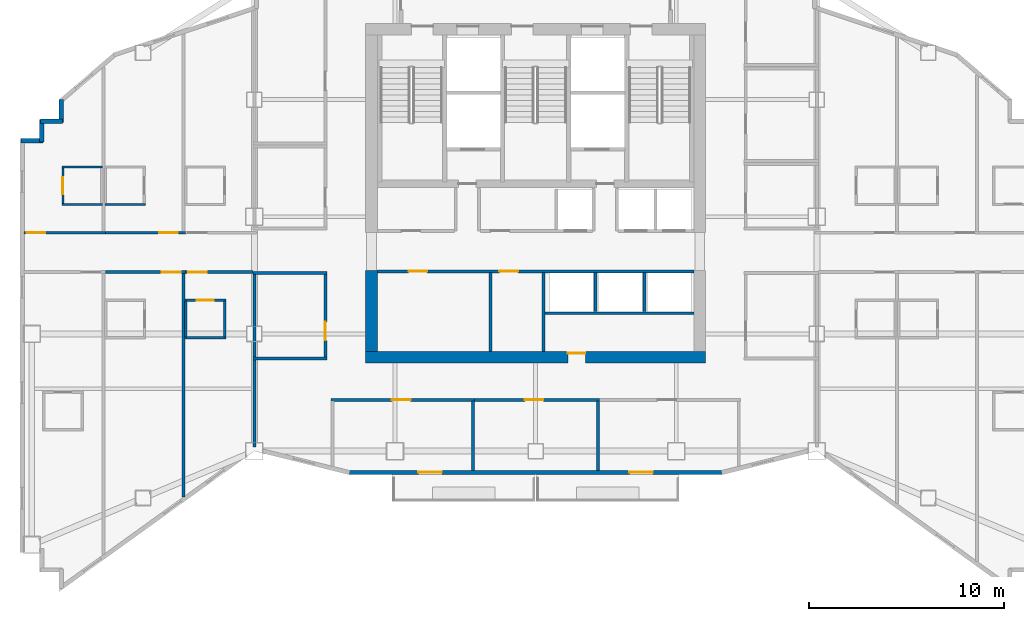
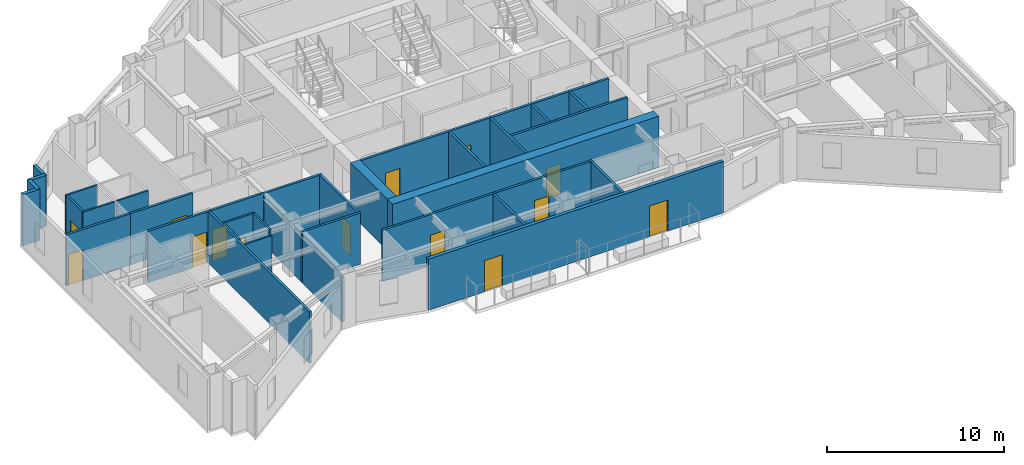
# One storey, part 5 of 11: 35 walls, 14 doors, 14 openings.
"""IFC4 building model written with IfcOpenShell, lengths in metres."""

from ifc_helpers import new_model, si_unit, direction, frame, frame_2d, origin, place, context, subcontext, project, spatial, rectangle, extrude, material, layer, layer_set, type_object, element, fill, save


model = new_model("IFC4")

# Units and contexts
model_context = context("Model", 3, precision=1e-05, world=origin(), true_north=direction((0.0, 1.0)))
body_context = subcontext(model_context, "Body", "Model", "MODEL_VIEW")
ifc_project = project(units=[si_unit("LENGTHUNIT", "METRE"), si_unit("AREAUNIT", "SQUARE_METRE"), si_unit("VOLUMEUNIT", "CUBIC_METRE"), si_unit("PLANEANGLEUNIT", "RADIAN"), si_unit("MASSUNIT", "GRAM", prefix="KILO")], contexts=[model_context])

# Site, building, storey
site_placement = place(None, origin())
site = spatial("IfcSite", under=ifc_project, at=site_placement, CompositionType="ELEMENT")
building_placement = place(site_placement, origin())
building = spatial("IfcBuilding", under=site, at=building_placement, Name="Haolan Belvedere Tower", CompositionType="ELEMENT")
storey_placement = place(building_placement, frame((0.0, 0.0, 226.800048828125)))
storey = spatial("IfcBuildingStorey", under=building, at=storey_placement, Name="L57", CompositionType="ELEMENT", Elevation=226.800048828125)

# Wall, opening, door
ifc_material_1 = material(Name="Concrete C60/75", Category="concrete")
ifc_layer_1 = layer(ifc_material_1, 0.60009765625, Name="Concrete C60/75")
ifc_layer_set_1 = layer_set([ifc_layer_1], Name="Concrete C60/75")
wall_type_1 = type_object("IfcWallType", Name="WL-CORE-600", PredefinedType="SHEAR", material=ifc_layer_set_1)
wall_1_placement = place(storey_placement, frame((29.699951171875, 26.39990234375, 0.0), z_axis=(0.0, 0.0, 1.0), x_axis=(1.0, 0.0, 0.0)))
wall_1 = element("IfcWall", 1, at=wall_1_placement, inside=storey, type_object=wall_type_1, Name="L57 central core south shear wall", PredefinedType="SHEAR", context=body_context, shape_type="SweptSolid", body=[
    extrude(rectangle(XDim=17.400146484375, YDim=0.60009765625, at=frame_2d((8.7001953125, 0.0))), origin(), (0.0, 0.0, 1.0), 3.5400390625),
])
opening_1_placement = place(wall_1_placement, frame((11.25, 0.0, 0.0), z_axis=(0.0, 0.0, 1.0), x_axis=(-1.0, 0.0, 0.0)))
opening_1 = element("IfcOpeningElement", 2, at=opening_1_placement, cuts=wall_1, Name="Opening FD-05", PredefinedType="OPENING", context=body_context, shape_type="SweptSolid", body=[
    extrude(rectangle(XDim=0.89990234375, YDim=2.10009765625, at=frame_2d((0.449951171875, 1.050048828125))), frame((0.0, 0.31005859375, 0.0), z_axis=(0.0, -1.0, 0.0), x_axis=(1.0, 0.0, 0.0)), (0.0, 0.0, 1.0), 0.6201171875),
])
ifc_material_2 = material(Name="Galvanised fire-rated steel", Category="steel")
door_type_1 = type_object("IfcDoorType", Name="DR-FD60-900", OperationType="NOTDEFINED", PredefinedType="DOOR", material=ifc_material_2)
door_1_placement = place(opening_1_placement, origin())
door_1 = element("IfcDoor", 3, at=door_1_placement, inside=storey, type_object=door_type_1, Name="L57 door CD-L57-SCVE", OperationType="SINGLE_SWING_RIGHT", OverallHeight=2.10009765625, OverallWidth=0.89990234375, PredefinedType="DOOR", context=body_context, shape_type="SweptSolid", body=[
    extrude(rectangle(XDim=0.89990234375, YDim=2.10009765625, at=frame_2d((0.449951171875, 1.050048828125))), frame((0.0, -0.19482421875, 0.0), z_axis=(0.0, -1.0, 0.0), x_axis=(1.0, 0.0, 0.0)), (0.0, 0.0, 1.0), 0.050048828125),
])
fill(opening_1, door_1)

# Wall
wall_2_placement = place(storey_placement, frame((30.0, 26.699951171875, 0.0), z_axis=(0.0, 0.0, 1.0), x_axis=(0.0, 1.0, 0.0)))
element("IfcWall", 4, at=wall_2_placement, inside=storey, type_object=wall_type_1, Name="L57 central core shear wall WS", PredefinedType="SHEAR", context=body_context, shape_type="SweptSolid", body=[
    extrude(rectangle(XDim=4.150146484375, YDim=0.60009765625, at=frame_2d((2.0751953125, 0.0))), origin(), (0.0, 0.0, 1.0), 3.5400390625),
])

# Wall, openings, doors
ifc_material_3 = material(Name="Precast concrete C40/50", Category="concrete")
ifc_layer_2 = layer(ifc_material_3, 0.219970703125, Name="Precast concrete C40/50")
ifc_layer_set_2 = layer_set([ifc_layer_2], Name="Precast concrete C40/50")
wall_type_2 = type_object("IfcWallType", Name="WL-EXT-220", PredefinedType="SOLIDWALL", material=ifc_layer_set_2)
wall_3_placement = place(storey_placement, frame((28.758544921875, 20.510009765625, 0.0), z_axis=(0.0, 0.0, 1.0), x_axis=(1.0, 0.0, 0.0)))
wall_3 = element("IfcWall", 5, at=wall_3_placement, inside=storey, type_object=wall_type_2, Name="L57 pale-metal exterior spandrel wall 1.1", PredefinedType="SOLIDWALL", context=body_context, shape_type="SweptSolid", body=[
    extrude(rectangle(XDim=19.282958984375, YDim=0.219970703125, at=frame_2d((9.6416015625, 0.0))), origin(), (0.0, 0.0, 1.0), 3.5400390625),
])
opening_2_placement = place(wall_3_placement, frame((4.841552734375, 0.0, 0.0), z_axis=(0.0, 0.0, 1.0), x_axis=(-1.0, 0.0, 0.0)))
opening_2 = element("IfcOpeningElement", 6, at=opening_2_placement, cuts=wall_3, Name="Opening BD-01", PredefinedType="OPENING", context=body_context, shape_type="SweptSolid", body=[
    extrude(rectangle(XDim=1.199951171875, YDim=2.14990234375, at=frame_2d((0.60009765625, 1.074951171875))), frame((0.0, 0.119873046875, 0.0), z_axis=(0.0, -1.0, 0.0), x_axis=(1.0, 0.0, 0.0)), (0.0, 0.0, 1.0), 0.239990234375),
])
opening_3_placement = place(wall_3_placement, frame((15.641357421875, 0.0, 0.0), z_axis=(0.0, 0.0, 1.0), x_axis=(-1.0, 0.0, 0.0)))
opening_3 = element("IfcOpeningElement", 7, at=opening_3_placement, cuts=wall_3, Name="Opening BD-01", PredefinedType="OPENING", context=body_context, shape_type="SweptSolid", body=[
    extrude(rectangle(XDim=1.199951171875, YDim=2.14990234375, at=frame_2d((0.60009765625, 1.074951171875))), frame((0.0, 0.119873046875, 0.0), z_axis=(0.0, -1.0, 0.0), x_axis=(1.0, 0.0, 0.0)), (0.0, 0.0, 1.0), 0.239990234375),
])
ifc_material_4 = material(Name="Thermally broken pale-metal aluminium and Low-E glass", Category="aluminium")
door_type_2 = type_object("IfcDoorType", Name="DR-BAL-1200", OperationType="NOTDEFINED", PredefinedType="DOOR", material=ifc_material_4)
door_2_placement = place(opening_2_placement, origin())
door_2 = element("IfcDoor", 8, at=door_2_placement, inside=storey, type_object=door_type_2, Name="L57 tree-balcony access door 1", OperationType="SINGLE_SWING_LEFT", OverallHeight=2.14990234375, OverallWidth=1.199951171875, PredefinedType="DOOR", context=body_context, shape_type="SweptSolid", body=[
    extrude(rectangle(XDim=1.199951171875, YDim=2.14990234375, at=frame_2d((0.60009765625, 1.074951171875))), frame((0.0, 0.02490234375, 0.0), z_axis=(0.0, -1.0, 0.0), x_axis=(1.0, 0.0, 0.0)), (0.0, 0.0, 1.0), 0.050048828125),
])
fill(opening_2, door_2)
door_3_placement = place(opening_3_placement, origin())
door_3 = element("IfcDoor", 9, at=door_3_placement, inside=storey, type_object=door_type_2, Name="L57 tree-balcony access door 2", OperationType="SINGLE_SWING_RIGHT", OverallHeight=2.14990234375, OverallWidth=1.199951171875, PredefinedType="DOOR", context=body_context, shape_type="SweptSolid", body=[
    extrude(rectangle(XDim=1.199951171875, YDim=2.14990234375, at=frame_2d((0.60009765625, 1.074951171875))), frame((0.0, 0.02490234375, 0.0), z_axis=(0.0, -1.0, 0.0), x_axis=(1.0, 0.0, 0.0)), (0.0, 0.0, 1.0), 0.050048828125),
])
fill(opening_3, door_3)

# Walls
wall_4_placement = place(storey_placement, frame((14.110107421875, 39.6044921875, 0.0), z_axis=(0.0, 0.0, 1.0), x_axis=(0.0, -1.0, 0.0)))
element("IfcWall", 10, at=wall_4_placement, inside=storey, type_object=wall_type_2, Name="L57 pale-metal exterior spandrel wall 31.1", PredefinedType="SOLIDWALL", context=body_context, shape_type="SweptSolid", body=[
    extrude(rectangle(XDim=1.16943359375, YDim=0.219970703125, at=frame_2d((0.584716796875, 0.0))), origin(), (0.0, 0.0, 1.0), 3.5400390625),
])
wall_5_placement = place(storey_placement, frame((14.1650390625, 38.489990234375, 0.0), z_axis=(0.0, 0.0, 1.0), x_axis=(-1.0, 0.0, 0.0)))
element("IfcWall", 11, at=wall_5_placement, inside=storey, type_object=wall_type_2, Name="L57 pale-metal exterior spandrel wall 32.1", PredefinedType="SOLIDWALL", context=body_context, shape_type="SweptSolid", body=[
    extrude(rectangle(XDim=1.110107421875, YDim=0.219970703125, at=frame_2d((0.55517578125, 0.0))), origin(), (0.0, 0.0, 1.0), 3.5400390625),
])
wall_6_placement = place(storey_placement, frame((13.110107421875, 38.544921875, 0.0), z_axis=(0.0, 0.0, 1.0), x_axis=(0.0, -1.0, 0.0)))
element("IfcWall", 12, at=wall_6_placement, inside=storey, type_object=wall_type_2, Name="L57 pale-metal exterior spandrel wall 33.1", PredefinedType="SOLIDWALL", context=body_context, shape_type="SweptSolid", body=[
    extrude(rectangle(XDim=1.10986328125, YDim=0.219970703125, at=frame_2d((0.554931640625, 0.0))), origin(), (0.0, 0.0, 1.0), 3.5400390625),
])
wall_7_placement = place(storey_placement, frame((13.1650390625, 37.489990234375, 0.0), z_axis=(0.0, 0.0, 1.0), x_axis=(-1.0, 0.0, 0.0)))
element("IfcWall", 13, at=wall_7_placement, inside=storey, type_object=wall_type_2, Name="L57 pale-metal exterior spandrel wall 34.1", PredefinedType="SOLIDWALL", context=body_context, shape_type="SweptSolid", body=[
    extrude(rectangle(XDim=1.110107421875, YDim=0.219970703125, at=frame_2d((0.55517578125, 0.0))), origin(), (0.0, 0.0, 1.0), 3.5400390625),
])
ifc_material_5 = material(Name="Double gypsum acoustic stud partition", Category="masonry")
ifc_layer_3 = layer(ifc_material_5, 0.14990234375, Name="Double gypsum acoustic stud partition")
ifc_layer_set_3 = layer_set([ifc_layer_3], Name="Double gypsum acoustic stud partition")
wall_type_3 = type_object("IfcWallType", Name="WL-PART-150", PredefinedType="PARTITIONING", material=ifc_layer_set_3)
wall_8_placement = place(storey_placement, frame((36.10009765625, 26.7099609375, 0.0), z_axis=(0.0, 0.0, 1.0), x_axis=(0.0, 1.0, 0.0)))
element("IfcWall", 14, at=wall_8_placement, inside=storey, type_object=wall_type_3, Name="L57 interior partition IW-L57-DIV-REUSE-PM", PredefinedType="PARTITIONING", context=body_context, shape_type="SweptSolid", body=[
    extrude(rectangle(XDim=4.025146484375, YDim=0.14990234375, at=frame_2d((2.0126953125, 0.0))), origin(), (0.0, 0.0, 1.0), 3.5400390625),
])
wall_9_placement = place(storey_placement, frame((38.860107421875, 28.659912109375, 0.0), z_axis=(0.0, 0.0, 1.0), x_axis=(1.0, 0.0, 0.0)))
element("IfcWall", 15, at=wall_9_placement, inside=storey, type_object=wall_type_3, Name="L57 interior partition IW-L57-SSTRIP-E", PredefinedType="PARTITIONING", context=body_context, shape_type="SweptSolid", body=[
    extrude(rectangle(XDim=7.639892578125, YDim=0.14990234375, at=frame_2d((3.81982421875, 0.0))), origin(), (0.0, 0.0, 1.0), 3.5400390625),
])
for number, where, z_axis, x_axis, name in (
    (16, (23.919921875, 30.72998046875, 0.0), (0.0, 0.0, 1.0), (1.0, 0.0, 0.0), "L57 interior partition IW-L57-PKTW-N"),
    (17, (23.919921875, 26.35009765625, 0.0), (0.0, 0.0, 1.0), (1.0, 0.0, 0.0), "L57 interior partition IW-L57-PKTW-S"),
):
    element("IfcWall", number, at=place(storey_placement, frame(where, z_axis=z_axis, x_axis=x_axis)), inside=storey, type_object=wall_type_3, Name=name, PredefinedType="PARTITIONING", context=body_context, shape_type="SweptSolid", body=[
        extrude(rectangle(XDim=3.800048828125, YDim=0.14990234375, at=frame_2d((1.89990234375, 0.0))), origin(), (0.0, 0.0, 1.0), 3.5400390625),
    ])
wall_10_placement = place(storey_placement, frame((24.0, 26.409912109375, 0.0), z_axis=(0.0, 0.0, 1.0), x_axis=(0.0, 1.0, 0.0)))
element("IfcWall", 18, at=wall_10_placement, inside=storey, type_object=wall_type_3, Name="L57 interior partition IW-L57-PKTW-W", PredefinedType="PARTITIONING", context=body_context, shape_type="SweptSolid", body=[
    extrude(rectangle(XDim=4.260009765625, YDim=0.14990234375, at=frame_2d((2.1298828125, 0.0))), origin(), (0.0, 0.0, 1.0), 3.135009765625),
])

# Wall, opening, door
wall_11_placement = place(storey_placement, frame((27.639892578125, 26.409912109375, 0.0), z_axis=(0.0, 0.0, 1.0), x_axis=(0.0, 1.0, 0.0)))
wall_11 = element("IfcWall", 19, at=wall_11_placement, inside=storey, type_object=wall_type_3, Name="L57 interior partition IW-L57-PKTW-E", PredefinedType="PARTITIONING", context=body_context, shape_type="SweptSolid", body=[
    extrude(rectangle(XDim=4.260009765625, YDim=0.14990234375, at=frame_2d((2.1298828125, 0.0))), origin(), (0.0, 0.0, 1.0), 3.5400390625),
])
opening_4_placement = place(wall_11_placement, frame((1.81005859375, 0.0, 0.0), z_axis=(0.0, 0.0, 1.0), x_axis=(-1.0, 0.0, 0.0)))
opening_4 = element("IfcOpeningElement", 20, at=opening_4_placement, cuts=wall_11, Name="Opening ID-03", PredefinedType="OPENING", context=body_context, shape_type="SweptSolid", body=[
    extrude(rectangle(XDim=0.949951171875, YDim=2.1201171875, at=frame_2d((0.47509765625, 1.06005859375))), frame((0.0, 0.0849609375, 0.0), z_axis=(0.0, -1.0, 0.0), x_axis=(1.0, 0.0, 0.0)), (0.0, 0.0, 1.0), 0.169921875),
])
ifc_material_6 = material(Name="Painted solid-core timber", Category="wood")
door_type_3 = type_object("IfcDoorType", Name="DR-INT-950", OperationType="NOTDEFINED", PredefinedType="DOOR", material=ifc_material_6)
door_4_placement = place(opening_4_placement, origin())
door_4 = element("IfcDoor", 21, at=door_4_placement, inside=storey, type_object=door_type_3, Name="L57 door ID-L57-PKTW", OperationType="SINGLE_SWING_LEFT", OverallHeight=2.1201171875, OverallWidth=0.949951171875, PredefinedType="DOOR", context=body_context, shape_type="SweptSolid", body=[
    extrude(rectangle(XDim=0.949951171875, YDim=2.1201171875, at=frame_2d((0.47509765625, 1.06005859375))), frame((0.0, 0.02490234375, 0.0), z_axis=(0.0, -1.0, 0.0), x_axis=(1.0, 0.0, 0.0)), (0.0, 0.0, 1.0), 0.050048828125),
])
fill(opening_4, door_4)

wall_12_placement = place(storey_placement, frame((27.919921875, 24.219970703125, 0.0), z_axis=(0.0, 0.0, 1.0), x_axis=(1.0, 0.0, 0.0)))
wall_12 = element("IfcWall", 22, at=wall_12_placement, inside=storey, type_object=wall_type_3, Name="L57 interior partition IW-L57-KS2-N", PredefinedType="PARTITIONING", context=body_context, shape_type="SweptSolid", body=[
    extrude(rectangle(XDim=7.360107421875, YDim=0.14990234375, at=frame_2d((3.68017578125, 0.0))), origin(), (0.0, 0.0, 1.0), 3.5400390625),
])
opening_5_placement = place(wall_12_placement, frame((4.074951171875, 0.0, 0.0), z_axis=(0.0, 0.0, 1.0), x_axis=(-1.0, 0.0, 0.0)))
opening_5 = element("IfcOpeningElement", 23, at=opening_5_placement, cuts=wall_12, Name="Opening ID-03", PredefinedType="OPENING", context=body_context, shape_type="SweptSolid", body=[
    extrude(rectangle(XDim=0.949951171875, YDim=2.1201171875, at=frame_2d((0.47509765625, 1.06005859375))), frame((0.0, 0.0849609375, 0.0), z_axis=(0.0, -1.0, 0.0), x_axis=(1.0, 0.0, 0.0)), (0.0, 0.0, 1.0), 0.169921875),
])
door_5_placement = place(opening_5_placement, origin())
door_5 = element("IfcDoor", 24, at=door_5_placement, inside=storey, type_object=door_type_3, Name="L57 door ID-L57-KS2", OperationType="SINGLE_SWING_RIGHT", OverallHeight=2.1201171875, OverallWidth=0.949951171875, PredefinedType="DOOR", context=body_context, shape_type="SweptSolid", body=[
    extrude(rectangle(XDim=0.949951171875, YDim=2.1201171875, at=frame_2d((0.47509765625, 1.06005859375))), frame((0.0, 0.02490234375, 0.0), z_axis=(0.0, -1.0, 0.0), x_axis=(1.0, 0.0, 0.0)), (0.0, 0.0, 1.0), 0.050048828125),
])
fill(opening_5, door_5)

# Wall
wall_13_placement = place(storey_placement, frame((35.199951171875, 20.612060546875, 0.0), z_axis=(0.0, 0.0, 1.0), x_axis=(0.0, 1.0, 0.0)))
element("IfcWall", 25, at=wall_13_placement, inside=storey, type_object=wall_type_3, Name="L57 interior partition IW-L57-KS2-E", PredefinedType="PARTITIONING", context=body_context, shape_type="SweptSolid", body=[
    extrude(rectangle(XDim=3.5478515625, YDim=0.14990234375, at=frame_2d((1.77392578125, 0.0))), origin(), (0.0, 0.0, 1.0), 3.5400390625),
])

# Wall, opening, door
wall_14_placement = place(storey_placement, frame((35.281982421875, 24.219970703125, 0.0), z_axis=(0.0, 0.0, 1.0), x_axis=(1.0, 0.0, 0.0)))
wall_14 = element("IfcWall", 26, at=wall_14_placement, inside=storey, type_object=wall_type_3, Name="L57 interior partition IW-L57-KS3-N", PredefinedType="PARTITIONING", context=body_context, shape_type="SweptSolid", body=[
    extrude(rectangle(XDim=6.39794921875, YDim=0.14990234375, at=frame_2d((3.198974609375, 0.0))), origin(), (0.0, 0.0, 1.0), 3.5400390625),
])
opening_6_placement = place(wall_14_placement, frame((3.512939453125, 0.0, 0.0), z_axis=(0.0, 0.0, 1.0), x_axis=(-1.0, 0.0, 0.0)))
opening_6 = element("IfcOpeningElement", 27, at=opening_6_placement, cuts=wall_14, Name="Opening ID-03", PredefinedType="OPENING", context=body_context, shape_type="SweptSolid", body=[
    extrude(rectangle(XDim=0.949951171875, YDim=2.1201171875, at=frame_2d((0.47509765625, 1.06005859375))), frame((0.0, 0.0849609375, 0.0), z_axis=(0.0, -1.0, 0.0), x_axis=(1.0, 0.0, 0.0)), (0.0, 0.0, 1.0), 0.169921875),
])
door_6_placement = place(opening_6_placement, origin())
door_6 = element("IfcDoor", 28, at=door_6_placement, inside=storey, type_object=door_type_3, Name="L57 door ID-L57-KS3", OperationType="SINGLE_SWING_LEFT", OverallHeight=2.1201171875, OverallWidth=0.949951171875, PredefinedType="DOOR", context=body_context, shape_type="SweptSolid", body=[
    extrude(rectangle(XDim=0.949951171875, YDim=2.1201171875, at=frame_2d((0.47509765625, 1.06005859375))), frame((0.0, 0.02490234375, 0.0), z_axis=(0.0, -1.0, 0.0), x_axis=(1.0, 0.0, 0.0)), (0.0, 0.0, 1.0), 0.050048828125),
])
fill(opening_6, door_6)

# Wall
wall_15_placement = place(storey_placement, frame((41.60009765625, 20.612060546875, 0.0), z_axis=(0.0, 0.0, 1.0), x_axis=(0.0, 1.0, 0.0)))
element("IfcWall", 29, at=wall_15_placement, inside=storey, type_object=wall_type_3, Name="L57 interior partition IW-L57-KS3-E", PredefinedType="PARTITIONING", context=body_context, shape_type="SweptSolid", body=[
    extrude(rectangle(XDim=3.5478515625, YDim=0.14990234375, at=frame_2d((1.77392578125, 0.0))), origin(), (0.0, 0.0, 1.0), 3.5400390625),
])

# Wall, opening, door
wall_16_placement = place(storey_placement, frame((12.2119140625, 32.780029296875, 0.0), z_axis=(0.0, 0.0, 1.0), x_axis=(1.0, 0.0, 0.0)))
wall_16 = element("IfcWall", 30, at=wall_16_placement, inside=storey, type_object=wall_type_3, Name="L57 interior partition IW-L57-T2N1-S", PredefinedType="PARTITIONING", context=body_context, shape_type="SweptSolid", body=[
    extrude(rectangle(XDim=4.16796875, YDim=0.14990234375, at=frame_2d((2.083984375, 0.0))), origin(), (0.0, 0.0, 1.0), 3.5400390625),
])
opening_7_placement = place(wall_16_placement, frame((0.139892578125, 0.0, 0.0)))
opening_7 = element("IfcOpeningElement", 31, at=opening_7_placement, cuts=wall_16, Name="Opening ID-02", PredefinedType="OPENING", context=body_context, shape_type="SweptSolid", body=[
    extrude(rectangle(XDim=0.949951171875, YDim=2.14990234375, at=frame_2d((0.47509765625, 1.074951171875))), frame((0.0, 0.0849609375, 0.0), z_axis=(0.0, -1.0, 0.0), x_axis=(1.0, 0.0, 0.0)), (0.0, 0.0, 1.0), 0.169921875),
])
ifc_material_7 = material(Name="Acoustic oak veneer fire-rated timber", Category="wood")
door_type_4 = type_object("IfcDoorType", Name="DR-GUEST-950", OperationType="NOTDEFINED", PredefinedType="DOOR", material=ifc_material_7)
door_7_placement = place(opening_7_placement, origin())
door_7 = element("IfcDoor", 32, at=door_7_placement, inside=storey, type_object=door_type_4, Name="L57 door ID-L57-T2N1-ENT", OperationType="SINGLE_SWING_LEFT", OverallHeight=2.14990234375, OverallWidth=0.949951171875, PredefinedType="DOOR", context=body_context, shape_type="SweptSolid", body=[
    extrude(rectangle(XDim=0.949951171875, YDim=2.14990234375, at=frame_2d((0.47509765625, 1.074951171875))), frame((0.0, 0.02490234375, 0.0), z_axis=(0.0, -1.0, 0.0), x_axis=(1.0, 0.0, 0.0)), (0.0, 0.0, 1.0), 0.050048828125),
])
fill(opening_7, door_7)

wall_17_placement = place(storey_placement, frame((16.382080078125, 32.780029296875, 0.0), z_axis=(0.0, 0.0, 1.0), x_axis=(1.0, 0.0, 0.0)))
wall_17 = element("IfcWall", 33, at=wall_17_placement, inside=storey, type_object=wall_type_3, Name="L57 interior partition IW-L57-T2N2-S", PredefinedType="PARTITIONING", context=body_context, shape_type="SweptSolid", body=[
    extrude(rectangle(XDim=4.097900390625, YDim=0.14990234375, at=frame_2d((2.048828125, 0.0))), origin(), (0.0, 0.0, 1.0), 3.5400390625),
])
opening_8_placement = place(wall_17_placement, frame((2.738037109375, 0.0, 0.0)))
opening_8 = element("IfcOpeningElement", 34, at=opening_8_placement, cuts=wall_17, Name="Opening ID-02", PredefinedType="OPENING", context=body_context, shape_type="SweptSolid", body=[
    extrude(rectangle(XDim=0.949951171875, YDim=2.14990234375, at=frame_2d((0.47509765625, 1.074951171875))), frame((0.0, 0.0849609375, 0.0), z_axis=(0.0, -1.0, 0.0), x_axis=(1.0, 0.0, 0.0)), (0.0, 0.0, 1.0), 0.169921875),
])
door_8_placement = place(opening_8_placement, origin())
door_8 = element("IfcDoor", 35, at=door_8_placement, inside=storey, type_object=door_type_4, Name="L57 door ID-L57-T2N2-ENT", OperationType="SINGLE_SWING_RIGHT", OverallHeight=2.14990234375, OverallWidth=0.949951171875, PredefinedType="DOOR", context=body_context, shape_type="SweptSolid", body=[
    extrude(rectangle(XDim=0.949951171875, YDim=2.14990234375, at=frame_2d((0.47509765625, 1.074951171875))), frame((0.0, 0.02490234375, 0.0), z_axis=(0.0, -1.0, 0.0), x_axis=(1.0, 0.0, 0.0)), (0.0, 0.0, 1.0), 0.050048828125),
])
fill(opening_8, door_8)

wall_18_placement = place(storey_placement, frame((16.382080078125, 30.77001953125, 0.0), z_axis=(0.0, 0.0, 1.0), x_axis=(1.0, 0.0, 0.0)))
wall_18 = element("IfcWall", 36, at=wall_18_placement, inside=storey, type_object=wall_type_3, Name="L57 interior partition IW-L57-T2S2-N", PredefinedType="PARTITIONING", context=body_context, shape_type="SweptSolid", body=[
    extrude(rectangle(XDim=4.097900390625, YDim=0.14990234375, at=frame_2d((2.048828125, 0.0))), origin(), (0.0, 0.0, 1.0), 3.5400390625),
])
opening_9_placement = place(wall_18_placement, frame((3.8369140625, 0.0, 0.0), z_axis=(0.0, 0.0, 1.0), x_axis=(-1.0, 0.0, 0.0)))
opening_9 = element("IfcOpeningElement", 37, at=opening_9_placement, cuts=wall_18, Name="Opening ID-02", PredefinedType="OPENING", context=body_context, shape_type="SweptSolid", body=[
    extrude(rectangle(XDim=0.949951171875, YDim=2.14990234375, at=frame_2d((0.47509765625, 1.074951171875))), frame((0.0, 0.0849609375, 0.0), z_axis=(0.0, -1.0, 0.0), x_axis=(1.0, 0.0, 0.0)), (0.0, 0.0, 1.0), 0.169921875),
])
door_9_placement = place(opening_9_placement, origin())
door_9 = element("IfcDoor", 38, at=door_9_placement, inside=storey, type_object=door_type_4, Name="L57 door ID-L57-T2S2-ENT", OperationType="SINGLE_SWING_LEFT", OverallHeight=2.14990234375, OverallWidth=0.949951171875, PredefinedType="DOOR", context=body_context, shape_type="SweptSolid", body=[
    extrude(rectangle(XDim=0.949951171875, YDim=2.14990234375, at=frame_2d((0.47509765625, 1.074951171875))), frame((0.0, 0.02490234375, 0.0), z_axis=(0.0, -1.0, 0.0), x_axis=(1.0, 0.0, 0.0)), (0.0, 0.0, 1.0), 0.050048828125),
])
fill(opening_9, door_9)

# Wall
wall_19_placement = place(storey_placement, frame((20.3798828125, 19.2548828125, 0.0), z_axis=(0.0, 0.0, 1.0), x_axis=(0.0, 1.0, 0.0)))
element("IfcWall", 39, at=wall_19_placement, inside=storey, type_object=wall_type_3, Name="L57 interior partition IW-L57-T2S2-E", PredefinedType="PARTITIONING", context=body_context, shape_type="SweptSolid", body=[
    extrude(rectangle(XDim=11.455078125, YDim=0.14990234375, at=frame_2d((5.7275390625, 0.0))), origin(), (0.0, 0.0, 1.0), 3.5400390625),
])

# Wall, opening, door
wall_20_placement = place(storey_placement, frame((20.48193359375, 30.77001953125, 0.0), z_axis=(0.0, 0.0, 1.0), x_axis=(1.0, 0.0, 0.0)))
wall_20 = element("IfcWall", 40, at=wall_20_placement, inside=storey, type_object=wall_type_3, Name="L57 interior partition IW-L57-T2S3-N", PredefinedType="PARTITIONING", context=body_context, shape_type="SweptSolid", body=[
    extrude(rectangle(XDim=3.43603515625, YDim=0.14990234375, at=frame_2d((1.718017578125, 0.0))), origin(), (0.0, 0.0, 1.0), 3.5400390625),
])
opening_10_placement = place(wall_20_placement, frame((1.08984375, 0.0, 0.0), z_axis=(0.0, 0.0, 1.0), x_axis=(-1.0, 0.0, 0.0)))
opening_10 = element("IfcOpeningElement", 41, at=opening_10_placement, cuts=wall_20, Name="Opening ID-02", PredefinedType="OPENING", context=body_context, shape_type="SweptSolid", body=[
    extrude(rectangle(XDim=0.949951171875, YDim=2.14990234375, at=frame_2d((0.47509765625, 1.074951171875))), frame((0.0, 0.0849609375, 0.0), z_axis=(0.0, -1.0, 0.0), x_axis=(1.0, 0.0, 0.0)), (0.0, 0.0, 1.0), 0.169921875),
])
door_10_placement = place(opening_10_placement, origin())
door_10 = element("IfcDoor", 42, at=door_10_placement, inside=storey, type_object=door_type_4, Name="L57 door ID-L57-T2S3-ENT", OperationType="SINGLE_SWING_RIGHT", OverallHeight=2.14990234375, OverallWidth=0.949951171875, PredefinedType="DOOR", context=body_context, shape_type="SweptSolid", body=[
    extrude(rectangle(XDim=0.949951171875, YDim=2.14990234375, at=frame_2d((0.47509765625, 1.074951171875))), frame((0.0, 0.02490234375, 0.0), z_axis=(0.0, -1.0, 0.0), x_axis=(1.0, 0.0, 0.0)), (0.0, 0.0, 1.0), 0.050048828125),
])
fill(opening_10, door_10)

# Wall
wall_21_placement = place(storey_placement, frame((24.0, 21.818603515625, 0.0), z_axis=(0.0, 0.0, 1.0), x_axis=(0.0, 1.0, 0.0)))
element("IfcWall", 43, at=wall_21_placement, inside=storey, type_object=wall_type_3, Name="L57 interior partition IW-L57-T2S3-E", PredefinedType="PARTITIONING", context=body_context, shape_type="SweptSolid", body=[
    extrude(rectangle(XDim=4.471435546875, YDim=0.14990234375, at=frame_2d((2.23583984375, 0.0))), origin(), (0.0, 0.0, 1.0), 3.135009765625),
])

# Wall, openings, doors
ifc_material_8 = material(Name="Gypsum fire shaftwall assembly", Category="masonry")
ifc_layer_4 = layer(ifc_material_8, 0.1650390625, Name="Gypsum fire shaftwall assembly")
ifc_layer_set_4 = layer_set([ifc_layer_4], Name="Gypsum fire shaftwall assembly")
wall_type_4 = type_object("IfcWallType", Name="WL-SHAFT-160", PredefinedType="SOLIDWALL", material=ifc_layer_set_4)
wall_22_placement = place(storey_placement, frame((30.300048828125, 30.800048828125, 0.0), z_axis=(0.0, 0.0, 1.0), x_axis=(1.0, 0.0, 0.0)))
wall_22 = element("IfcWall", 44, at=wall_22_placement, inside=storey, type_object=wall_type_4, Name="L57 interior partition IW-L57-ROW-PS", PredefinedType="SOLIDWALL", context=body_context, shape_type="SweptSolid", body=[
    extrude(rectangle(XDim=16.199951171875, YDim=0.159912109375, at=frame_2d((8.10009765625, 0.0))), origin(), (0.0, 0.0, 1.0), 3.5400390625),
])
opening_11_placement = place(wall_22_placement, frame((1.60009765625, 0.0, 0.0)))
opening_11 = element("IfcOpeningElement", 45, at=opening_11_placement, cuts=wall_22, Name="Opening ID-03", PredefinedType="OPENING", context=body_context, shape_type="SweptSolid", body=[
    extrude(rectangle(XDim=0.949951171875, YDim=2.1201171875, at=frame_2d((0.47509765625, 1.06005859375))), frame((0.0, 0.08984375, 0.0), z_axis=(0.0, -1.0, 0.0), x_axis=(1.0, 0.0, 0.0)), (0.0, 0.0, 1.0), 0.179931640625),
])
opening_12_placement = place(wall_22_placement, frame((6.25, 0.0, 0.0)))
opening_12 = element("IfcOpeningElement", 46, at=opening_12_placement, cuts=wall_22, Name="Opening ID-03", PredefinedType="OPENING", context=body_context, shape_type="SweptSolid", body=[
    extrude(rectangle(XDim=0.949951171875, YDim=2.1201171875, at=frame_2d((0.47509765625, 1.06005859375))), frame((0.0, 0.08984375, 0.0), z_axis=(0.0, -1.0, 0.0), x_axis=(1.0, 0.0, 0.0)), (0.0, 0.0, 1.0), 0.179931640625),
])
door_11_placement = place(opening_11_placement, origin())
door_11 = element("IfcDoor", 47, at=door_11_placement, inside=storey, type_object=door_type_3, Name="L57 door ID-L57-CD-RPMA", OperationType="SINGLE_SWING_LEFT", OverallHeight=2.1201171875, OverallWidth=0.949951171875, PredefinedType="DOOR", context=body_context, shape_type="SweptSolid", body=[
    extrude(rectangle(XDim=0.949951171875, YDim=2.1201171875, at=frame_2d((0.47509765625, 1.06005859375))), frame((0.0, 0.02490234375, 0.0), z_axis=(0.0, -1.0, 0.0), x_axis=(1.0, 0.0, 0.0)), (0.0, 0.0, 1.0), 0.050048828125),
])
fill(opening_11, door_11)
door_12_placement = place(opening_12_placement, origin())
door_12 = element("IfcDoor", 48, at=door_12_placement, inside=storey, type_object=door_type_3, Name="L57 door ID-L57-CD-RPMB", OperationType="SINGLE_SWING_RIGHT", OverallHeight=2.1201171875, OverallWidth=0.949951171875, PredefinedType="DOOR", context=body_context, shape_type="SweptSolid", body=[
    extrude(rectangle(XDim=0.949951171875, YDim=2.1201171875, at=frame_2d((0.47509765625, 1.06005859375))), frame((0.0, 0.02490234375, 0.0), z_axis=(0.0, -1.0, 0.0), x_axis=(1.0, 0.0, 0.0)), (0.0, 0.0, 1.0), 0.050048828125),
])
fill(opening_12, door_12)

# Walls
wall_23_placement = place(storey_placement, frame((38.800048828125, 26.7099609375, 0.0), z_axis=(0.0, 0.0, 1.0), x_axis=(0.0, 1.0, 0.0)))
element("IfcWall", 49, at=wall_23_placement, inside=storey, type_object=wall_type_4, Name="L57 interior partition IW-L57-DIV-PM-OB", PredefinedType="SOLIDWALL", context=body_context, shape_type="SweptSolid", body=[
    extrude(rectangle(XDim=4.025146484375, YDim=0.14990234375, at=frame_2d((2.0126953125, 0.0))), origin(), (0.0, 0.0, 1.0), 3.5400390625),
])
for number, where, z_axis, x_axis, name in (
    (50, (41.469970703125, 28.75, 0.0), (0.0, 0.0, 1.0), (0.0, 1.0, 0.0), "L57 interior partition IW-L57-DIV-OB1"),
    (51, (43.97998046875, 28.75, 0.0), (0.0, 0.0, 1.0), (0.0, 1.0, 0.0), "L57 interior partition IW-L57-DIV-OB2"),
):
    element("IfcWall", number, at=place(storey_placement, frame(where, z_axis=z_axis, x_axis=x_axis)), inside=storey, type_object=wall_type_4, Name=name, PredefinedType="SOLIDWALL", context=body_context, shape_type="SweptSolid", body=[
        extrude(rectangle(XDim=1.985107421875, YDim=0.14990234375, at=frame_2d((0.99267578125, 0.0))), origin(), (0.0, 0.0, 1.0), 3.5400390625),
    ])
ifc_material_9 = material(Name="Moisture-resistant gypsum tile partition", Category="masonry")
ifc_layer_5 = layer(ifc_material_9, 0.1201171875, Name="Moisture-resistant gypsum tile partition")
ifc_layer_set_5 = layer_set([ifc_layer_5], Name="Moisture-resistant gypsum tile partition")
wall_type_5 = type_object("IfcWallType", Name="WL-WET-120", PredefinedType="PARTITIONING", material=ifc_layer_set_5)
for number, where, z_axis, x_axis, name in (
    (52, (14.139892578125, 36.14990234375, 0.0), (0.0, 0.0, 1.0), (1.0, 0.0, 0.0), "L57 interior partition IW-L57-T2N1-BN"),
    (53, (14.139892578125, 34.22998046875, 0.0), (0.0, 0.0, 1.0), (1.0, 0.0, 0.0), "L57 interior partition IW-L57-T2N1-BS"),
):
    element("IfcWall", number, at=place(storey_placement, frame(where, z_axis=z_axis, x_axis=x_axis)), inside=storey, type_object=wall_type_5, Name=name, PredefinedType="PARTITIONING", context=body_context, shape_type="SweptSolid", body=[
        extrude(rectangle(XDim=2.080078125, YDim=0.1201171875, at=frame_2d((1.0400390625, 0.0))), origin(), (0.0, 0.0, 1.0), 3.5400390625),
    ])

# Wall, opening, door
wall_24_placement = place(storey_placement, frame((14.199951171875, 34.27490234375, 0.0), z_axis=(0.0, 0.0, 1.0), x_axis=(0.0, 1.0, 0.0)))
wall_24 = element("IfcWall", 54, at=wall_24_placement, inside=storey, type_object=wall_type_5, Name="L57 interior partition IW-L57-T2N1-BW", PredefinedType="PARTITIONING", context=body_context, shape_type="SweptSolid", body=[
    extrude(rectangle(XDim=1.830078125, YDim=0.1201171875, at=frame_2d((0.9150390625, 0.0))), origin(), (0.0, 0.0, 1.0), 3.5400390625),
])
opening_13_placement = place(wall_24_placement, frame((1.340087890625, 0.0, 0.0), z_axis=(0.0, 0.0, 1.0), x_axis=(-1.0, 0.0, 0.0)))
opening_13 = element("IfcOpeningElement", 55, at=opening_13_placement, cuts=wall_24, Name="Opening ID-05", PredefinedType="OPENING", context=body_context, shape_type="SweptSolid", body=[
    extrude(rectangle(XDim=0.85009765625, YDim=2.10009765625, at=frame_2d((0.425048828125, 1.050048828125))), frame((0.0, 0.070068359375, 0.0), z_axis=(0.0, -1.0, 0.0), x_axis=(1.0, 0.0, 0.0)), (0.0, 0.0, 1.0), 0.14013671875),
])
ifc_material_10 = material(Name="Moisture-resistant lacquered timber", Category="wood")
door_type_5 = type_object("IfcDoorType", Name="DR-BATH-850", OperationType="NOTDEFINED", PredefinedType="DOOR", material=ifc_material_10)
door_13_placement = place(opening_13_placement, origin())
door_13 = element("IfcDoor", 56, at=door_13_placement, inside=storey, type_object=door_type_5, Name="L57 door ID-L57-T2N1-BATH", OperationType="SINGLE_SWING_RIGHT", OverallHeight=2.10009765625, OverallWidth=0.85009765625, PredefinedType="DOOR", context=body_context, shape_type="SweptSolid", body=[
    extrude(rectangle(XDim=0.85009765625, YDim=2.10009765625, at=frame_2d((0.425048828125, 1.050048828125))), frame((0.0, 0.02490234375, 0.0), z_axis=(0.0, -1.0, 0.0), x_axis=(1.0, 0.0, 0.0)), (0.0, 0.0, 1.0), 0.050048828125),
])
fill(opening_13, door_13)

# Wall
wall_25_placement = place(storey_placement, frame((16.340087890625, 34.22998046875, 0.0), z_axis=(0.0, 0.0, 1.0), x_axis=(1.0, 0.0, 0.0)))
element("IfcWall", 57, at=wall_25_placement, inside=storey, type_object=wall_type_5, Name="L57 interior partition IW-L57-T2N2-BS", PredefinedType="PARTITIONING", context=body_context, shape_type="SweptSolid", body=[
    extrude(rectangle(XDim=2.079833984375, YDim=0.1201171875, at=frame_2d((1.0400390625, 0.0))), origin(), (0.0, 0.0, 1.0), 3.5400390625),
])

# Wall, opening, door
wall_26_placement = place(storey_placement, frame((20.43994140625, 29.320068359375, 0.0), z_axis=(0.0, 0.0, 1.0), x_axis=(1.0, 0.0, 0.0)))
wall_26 = element("IfcWall", 58, at=wall_26_placement, inside=storey, type_object=wall_type_5, Name="L57 interior partition IW-L57-T2S3-BN", PredefinedType="PARTITIONING", context=body_context, shape_type="SweptSolid", body=[
    extrude(rectangle(XDim=2.094970703125, YDim=0.1201171875, at=frame_2d((1.04736328125, 0.0))), origin(), (0.0, 0.0, 1.0), 3.5400390625),
])
opening_14_placement = place(wall_26_placement, frame((1.47021484375, 0.0, 0.0), z_axis=(0.0, 0.0, 1.0), x_axis=(-1.0, 0.0, 0.0)))
opening_14 = element("IfcOpeningElement", 59, at=opening_14_placement, cuts=wall_26, Name="Opening ID-05", PredefinedType="OPENING", context=body_context, shape_type="SweptSolid", body=[
    extrude(rectangle(XDim=0.85009765625, YDim=2.10009765625, at=frame_2d((0.425048828125, 1.050048828125))), frame((0.0, 0.070068359375, 0.0), z_axis=(0.0, -1.0, 0.0), x_axis=(1.0, 0.0, 0.0)), (0.0, 0.0, 1.0), 0.14013671875),
])
door_14_placement = place(opening_14_placement, origin())
door_14 = element("IfcDoor", 60, at=door_14_placement, inside=storey, type_object=door_type_5, Name="L57 door ID-L57-T2S3-BATH", OperationType="SINGLE_SWING_LEFT", OverallHeight=2.10009765625, OverallWidth=0.85009765625, PredefinedType="DOOR", context=body_context, shape_type="SweptSolid", body=[
    extrude(rectangle(XDim=0.85009765625, YDim=2.10009765625, at=frame_2d((0.425048828125, 1.050048828125))), frame((0.0, 0.02490234375, 0.0), z_axis=(0.0, -1.0, 0.0), x_axis=(1.0, 0.0, 0.0)), (0.0, 0.0, 1.0), 0.050048828125),
])
fill(opening_14, door_14)

# Walls
wall_27_placement = place(storey_placement, frame((20.43994140625, 27.39990234375, 0.0), z_axis=(0.0, 0.0, 1.0), x_axis=(1.0, 0.0, 0.0)))
element("IfcWall", 61, at=wall_27_placement, inside=storey, type_object=wall_type_5, Name="L57 interior partition IW-L57-T2S3-BS", PredefinedType="PARTITIONING", context=body_context, shape_type="SweptSolid", body=[
    extrude(rectangle(XDim=2.094970703125, YDim=0.1201171875, at=frame_2d((1.04736328125, 0.0))), origin(), (0.0, 0.0, 1.0), 3.135009765625),
])
for number, where, z_axis, x_axis, name in (
    (62, (20.4951171875, 27.445068359375, 0.0), (0.0, 0.0, 1.0), (0.0, 1.0, 0.0), "L57 interior partition IW-L57-T2S3-BW"),
    (63, (22.47509765625, 27.445068359375, 0.0), (0.0, 0.0, 1.0), (0.0, 1.0, 0.0), "L57 interior partition IW-L57-T2S3-BE"),
):
    element("IfcWall", number, at=place(storey_placement, frame(where, z_axis=z_axis, x_axis=x_axis)), inside=storey, type_object=wall_type_5, Name=name, PredefinedType="PARTITIONING", context=body_context, shape_type="SweptSolid", body=[
        extrude(rectangle(XDim=1.829833984375, YDim=0.1201171875, at=frame_2d((0.9150390625, 0.0))), origin(), (0.0, 0.0, 1.0), 3.5400390625),
    ])

save(model, "model.ifc")
